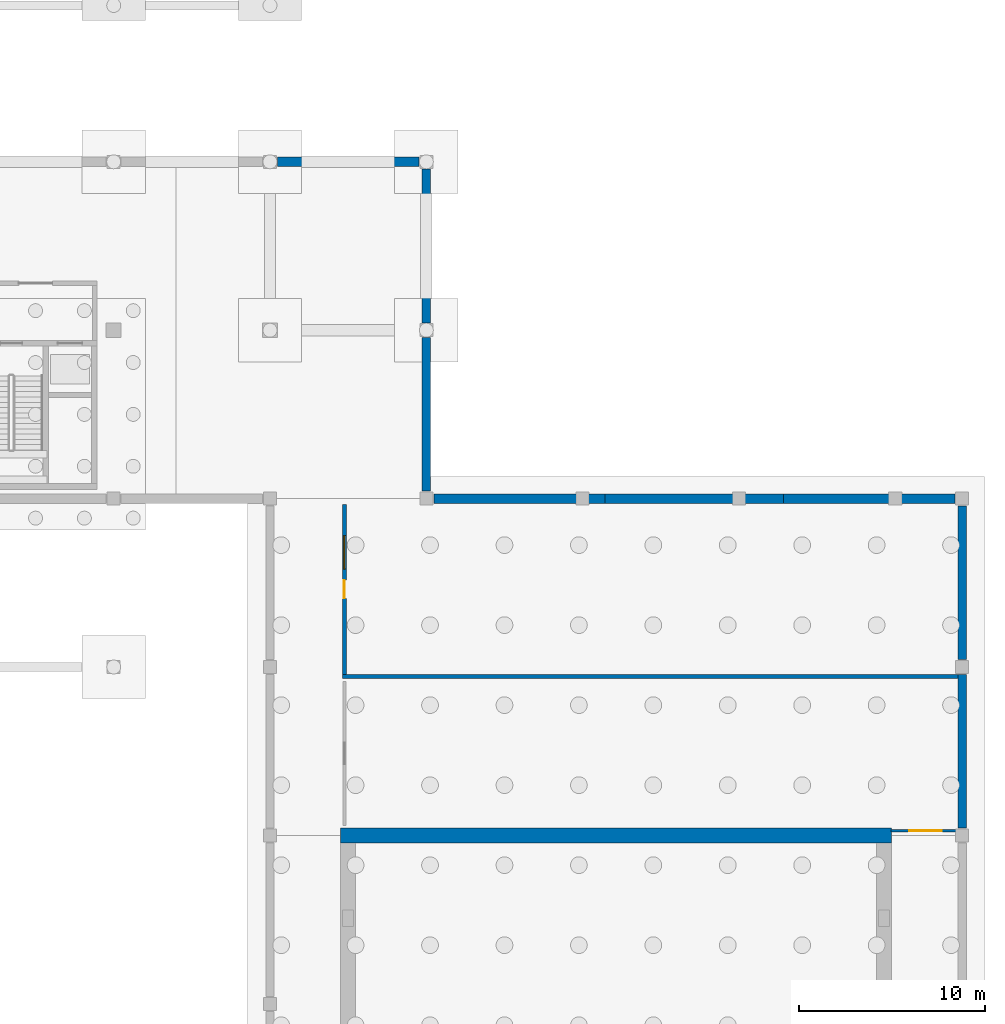
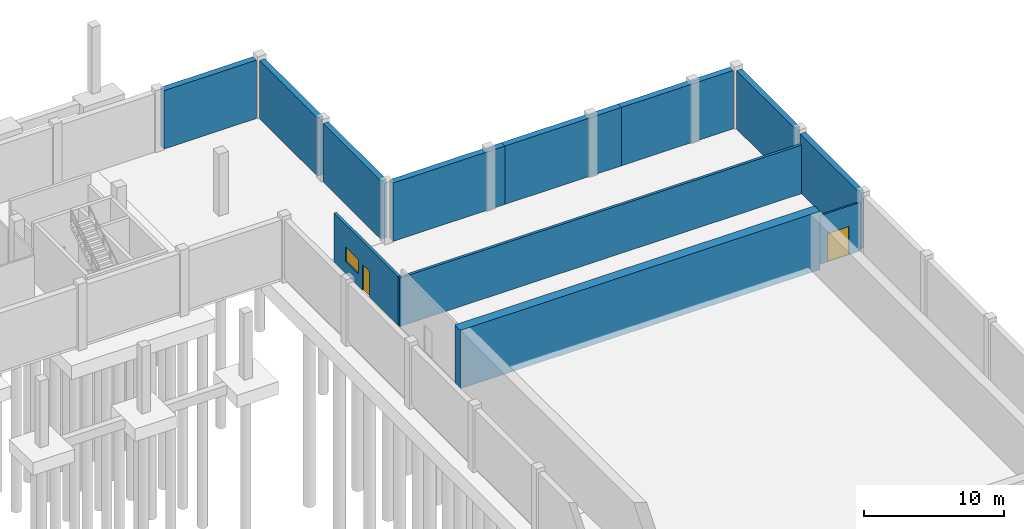
# One storey, part 12 of 18: 12 walls, 2 doors, 1 window, 3 openings.
"""IFC4 building model written with IfcOpenShell, lengths in metres."""

from ifc_helpers import new_model, si_unit, direction, frame, frame_2d, origin, place, context, subcontext, project, spatial, rectangle, extrude, material, layer, layer_set, type_object, element, fill, save


model = new_model("IFC4")

# Units and contexts
model_context = context("Model", 3, precision=1e-05, world=origin(), true_north=direction((0.0, 1.0)))
body_context = subcontext(model_context, "Body", "Model", "MODEL_VIEW")
ifc_project = project(units=[si_unit("LENGTHUNIT", "METRE"), si_unit("AREAUNIT", "SQUARE_METRE"), si_unit("VOLUMEUNIT", "CUBIC_METRE"), si_unit("PLANEANGLEUNIT", "RADIAN"), si_unit("MASSUNIT", "GRAM", prefix="KILO")], contexts=[model_context])

# Site, building, storey
site_placement = place(None, origin())
site = spatial("IfcSite", under=ifc_project, at=site_placement, CompositionType="ELEMENT")
building_placement = place(site_placement, origin())
building = spatial("IfcBuilding", under=site, at=building_placement, Name="Khurvash Pelagic Aquarium", CompositionType="ELEMENT")
storey_placement = place(building_placement, frame((0.0, 0.0, -5.39990234375)))
storey = spatial("IfcBuildingStorey", under=building, at=storey_placement, Name="B1", CompositionType="ELEMENT", Elevation=-5.39990234375)

# Wall, opening, door
ifc_material_1 = material(Name="Moisture-resistant gypsum and steel stud", Category="steel")
ifc_layer_1 = layer(ifc_material_1, 0.139892578125)
ifc_layer_set_1 = layer_set([ifc_layer_1], Name="Moisture-resistant gypsum and steel stud")
wall_type_1 = type_object("IfcWallType", Name="PW-140", PredefinedType="PARTITIONING", material=ifc_layer_set_1)
wall_1_placement = place(storey_placement, frame((159.3798828125, 66.199951171875, 0.0), z_axis=(0.0, 0.0, 1.0), x_axis=(1.0, 0.0, 0.0)))
wall_1 = element("IfcWall", 1, at=wall_1_placement, inside=storey, type_object=wall_type_1, Name="B1 Protein Fractionator Gallery Partition Wall PW-140", PredefinedType="PARTITIONING", context=body_context, shape_type="SweptSolid", body=[
    extrude(rectangle(XDim=3.690185546875, YDim=0.139892578125, at=frame_2d((1.84521484375, 0.0))), origin(), (0.0, 0.0, 1.0), 4.22998046875),
])
opening_1_placement = place(wall_1_placement, frame((0.965087890625, 0.0, 0.0)))
opening_1 = element("IfcOpeningElement", 2, at=opening_1_placement, cuts=wall_1, Name="Opening ID-24", PredefinedType="OPENING", context=body_context, shape_type="SweptSolid", body=[
    extrude(rectangle(XDim=1.760009765625, YDim=2.449951171875, at=frame_2d((0.8798828125, 1.22509765625))), frame((0.0, 0.080078125, 0.0), z_axis=(0.0, -1.0, 0.0), x_axis=(1.0, 0.0, 0.0)), (0.0, 0.0, 1.0), 0.159912109375),
])
ifc_material_2 = material(Name="Ocean overlook double door", Category="wood")
door_type_1 = type_object("IfcDoorType", Name="ID-24", OperationType="DOUBLE_DOOR_SINGLE_SWING", PredefinedType="DOOR", material=ifc_material_2)
door_1_placement = place(opening_1_placement, frame((1.760009765625, 0.0, 0.0), z_axis=(0.0, 0.0, 1.0), x_axis=(-1.0, 0.0, 0.0)))
door_1 = element("IfcDoor", 3, at=door_1_placement, inside=storey, type_object=door_type_1, Name="DR-0025", OperationType="DOUBLE_DOOR_SINGLE_SWING", OverallHeight=2.449951171875, OverallWidth=1.760009765625, PredefinedType="DOOR", context=body_context, shape_type="SweptSolid", body=[
    extrude(rectangle(XDim=1.760009765625, YDim=2.449951171875, at=frame_2d((0.8798828125, 1.22509765625))), frame((0.0, 0.02490234375, 0.0), z_axis=(0.0, -1.0, 0.0), x_axis=(1.0, 0.0, 0.0)), (0.0, 0.0, 1.0), 0.050048828125),
])
fill(opening_1, door_1)

# Wall, openings, door, window
ifc_material_3 = material(Name="AAC blockwork", Category="masonry")
ifc_layer_2 = layer(ifc_material_3, 0.215087890625)
ifc_layer_set_2 = layer_set([ifc_layer_2], Name="AAC blockwork")
wall_type_2 = type_object("IfcWallType", Name="PW-215", PredefinedType="PARTITIONING", material=ifc_layer_set_2)
wall_2_placement = place(storey_placement, frame((130.0, 74.60791015625, 0.0), z_axis=(0.0, 0.0, 1.0), x_axis=(0.0, 1.0, 0.0)))
wall_2 = element("IfcWall", 4, at=wall_2_placement, inside=storey, type_object=wall_type_2, Name="B1 Primary Ocean LSS Sand Filter Hall Partition Wall PW-215", PredefinedType="PARTITIONING", context=body_context, shape_type="SweptSolid", body=[
    extrude(rectangle(XDim=9.134033203125, YDim=0.215087890625, at=frame_2d((4.56689453125, 0.0))), origin(), (0.0, 0.0, 1.0), 4.22998046875),
])
opening_2_placement = place(wall_2_placement, frame((4.076904296875, 0.0, 0.0)))
opening_2 = element("IfcOpeningElement", 5, at=opening_2_placement, cuts=wall_2, Name="Opening ID-39", PredefinedType="OPENING", context=body_context, shape_type="SweptSolid", body=[
    extrude(rectangle(XDim=0.97998046875, YDim=2.219970703125, at=frame_2d((0.489990234375, 1.10986328125))), frame((0.0, 0.11767578125, 0.0), z_axis=(0.0, -1.0, 0.0), x_axis=(1.0, 0.0, 0.0)), (0.0, 0.0, 1.0), 0.235107421875),
])
opening_3_placement = place(wall_2_placement, frame((5.656982421875, 0.0, 1.0498046875)))
opening_3 = element("IfcOpeningElement", 6, at=opening_3_placement, cuts=wall_2, Name="Opening IW-02", PredefinedType="OPENING", context=body_context, shape_type="SweptSolid", body=[
    extrude(rectangle(XDim=1.800048828125, YDim=1.25, at=frame_2d((0.89990234375, 0.625))), frame((0.0, 0.11767578125, 0.0), z_axis=(0.0, -1.0, 0.0), x_axis=(1.0, 0.0, 0.0)), (0.0, 0.0, 1.0), 0.235107421875),
])
ifc_material_4 = material(Name="Acoustic staff locker door", Category="wood")
door_type_2 = type_object("IfcDoorType", Name="ID-39", OperationType="NOTDEFINED", PredefinedType="DOOR", material=ifc_material_4)
door_2_placement = place(opening_2_placement, frame((0.97998046875, 0.0, 0.0), z_axis=(0.0, 0.0, 1.0), x_axis=(-1.0, 0.0, 0.0)))
door_2 = element("IfcDoor", 7, at=door_2_placement, inside=storey, type_object=door_type_2, Name="DR-0023", OperationType="SINGLE_SWING_RIGHT", OverallHeight=2.219970703125, OverallWidth=0.97998046875, PredefinedType="DOOR", context=body_context, shape_type="SweptSolid", body=[
    extrude(rectangle(XDim=0.97998046875, YDim=2.219970703125, at=frame_2d((0.489990234375, 1.10986328125))), frame((0.0, 0.02490234375, 0.0), z_axis=(0.0, -1.0, 0.0), x_axis=(1.0, 0.0, 0.0)), (0.0, 0.0, 1.0), 0.050048828125),
])
fill(opening_2, door_2)
ifc_material_5 = material(Name="Acoustic laminated interior observation glazing", Category="glass")
window_type = type_object("IfcWindowType", Name="IW-02", PartitioningType="SINGLE_PANEL", PredefinedType="WINDOW", material=ifc_material_5)
window_placement = place(opening_3_placement, origin())
window = element("IfcWindow", 8, at=window_placement, inside=storey, type_object=window_type, Name="B1 Primary Ocean LSS Sand Filter Hall Observation Window IW-02", OverallHeight=1.25, OverallWidth=1.800048828125, PartitioningType="SINGLE_PANEL", PredefinedType="WINDOW", context=body_context, shape_type="SweptSolid", body=[
    extrude(rectangle(XDim=1.800048828125, YDim=1.25, at=frame_2d((0.89990234375, 0.625))), frame((0.0, 0.030029296875, 0.0), z_axis=(0.0, -1.0, 0.0), x_axis=(1.0, 0.0, 0.0)), (0.0, 0.0, 1.0), 0.06005859375),
])
fill(opening_3, window)

# Walls
wall_3_placement = place(storey_placement, frame((129.89306640625, 74.5, 0.0), z_axis=(0.0, 0.0, 1.0), x_axis=(1.0, 0.0, 0.0)))
element("IfcWall", 9, at=wall_3_placement, inside=storey, type_object=wall_type_2, Name="B1 Primary Ocean LSS Sand Filter Hall Partition Wall PW-215", PredefinedType="PARTITIONING", context=body_context, shape_type="SweptSolid", body=[
    extrude(rectangle(XDim=33.2138671875, YDim=0.215087890625, at=frame_2d((16.60693359375, 0.0))), origin(), (0.0, 0.0, 1.0), 4.22998046875),
])
ifc_material_6 = material(Name="Concrete C40/50", Category="concrete")
ifc_layer_3 = layer(ifc_material_6, 0.449951171875)
ifc_layer_set_3 = layer_set([ifc_layer_3], Name="Concrete C40/50")
wall_type_3 = type_object("IfcWallType", Name="RW-450", PredefinedType="USERDEFINED", material=ifc_layer_set_3)
for number, where, z_axis, x_axis, name in (
    (10, (134.39990234375, 101.75, 0.0), (0.0, 0.0, 1.0), (0.0, -1.0, 0.0), "B1 Perimeter Waterproofed Retaining Wall RW-450"),
    (11, (134.39990234375, 92.699951171875, 0.0), (0.0, 0.0, 1.0), (0.0, -1.0, 0.0), "B1 Perimeter Waterproofed Retaining Wall RW-450"),
    (12, (163.199951171875, 83.64990234375, 0.0), (0.0, 0.0, 1.0), (0.0, -1.0, 0.0), "B1 Perimeter Waterproofed Retaining Wall RW-450"),
    (13, (163.199951171875, 74.60009765625, 0.0), (0.0, 0.0, 1.0), (0.0, -1.0, 0.0), "B1 Perimeter Waterproofed Retaining Wall RW-450"),
):
    element("IfcWall", number, at=place(storey_placement, frame(where, z_axis=z_axis, x_axis=x_axis)), inside=storey, type_object=wall_type_3, Name=name, ObjectType="RETAINING WALL", PredefinedType="USERDEFINED", context=body_context, shape_type="SweptSolid", body=[
        extrude(rectangle(XDim=8.25, YDim=0.449951171875, at=frame_2d((4.125, 0.0))), origin(), (0.0, 0.0, 1.0), 5.079833984375),
    ])
ifc_material_7 = material(Name="Water-retaining concrete C40/50", Category="concrete")
ifc_layer_4 = layer(ifc_material_7, 0.5)
ifc_layer_set_4 = layer_set([ifc_layer_4], Name="Water-retaining concrete C40/50")
wall_type_4 = type_object("IfcWallType", Name="RW-500", PredefinedType="USERDEFINED", material=ifc_layer_set_4)
wall_4_placement = place(storey_placement, frame((126.39990234375, 102.14990234375, 0.0), z_axis=(0.0, 0.0, 1.0), x_axis=(1.0, 0.0, 0.0)))
element("IfcWall", 14, at=wall_4_placement, inside=storey, type_object=wall_type_4, Name="B1 Perimeter Waterproofed Retaining Wall RW-500", ObjectType="RETAINING WALL", PredefinedType="USERDEFINED", context=body_context, shape_type="SweptSolid", body=[
    extrude(rectangle(XDim=7.60009765625, YDim=0.5, at=frame_2d((3.800048828125, 0.0))), origin(), (0.0, 0.0, 1.0), 5.079833984375),
])
wall_5_placement = place(storey_placement, frame((134.800048828125, 84.050048828125, 0.0), z_axis=(0.0, 0.0, 1.0), x_axis=(1.0, 0.0, 0.0)))
element("IfcWall", 15, at=wall_5_placement, inside=storey, type_object=wall_type_4, Name="B1 Perimeter Waterproofed Retaining Wall RW-500", ObjectType="RETAINING WALL", PredefinedType="USERDEFINED", context=body_context, shape_type="SweptSolid", body=[
    extrude(rectangle(XDim=9.199951171875, YDim=0.5, at=frame_2d((4.60009765625, 0.0))), origin(), (0.0, 0.0, 1.0), 5.079833984375),
])
wall_6_placement = place(storey_placement, frame((144.0, 84.050048828125, 0.0), z_axis=(0.0, 0.0, 1.0), x_axis=(1.0, 0.0, 0.0)))
element("IfcWall", 16, at=wall_6_placement, inside=storey, type_object=wall_type_4, Name="B1 Perimeter Waterproofed Retaining Wall RW-500", ObjectType="RETAINING WALL", PredefinedType="USERDEFINED", context=body_context, shape_type="SweptSolid", body=[
    extrude(rectangle(XDim=9.60009765625, YDim=0.5, at=frame_2d((4.800048828125, 0.0))), origin(), (0.0, 0.0, 1.0), 5.079833984375),
])
wall_7_placement = place(storey_placement, frame((153.60009765625, 84.050048828125, 0.0), z_axis=(0.0, 0.0, 1.0), x_axis=(1.0, 0.0, 0.0)))
element("IfcWall", 17, at=wall_7_placement, inside=storey, type_object=wall_type_4, Name="B1 Perimeter Waterproofed Retaining Wall RW-500", ObjectType="RETAINING WALL", PredefinedType="USERDEFINED", context=body_context, shape_type="SweptSolid", body=[
    extrude(rectangle(XDim=9.199951171875, YDim=0.5, at=frame_2d((4.60009765625, 0.0))), origin(), (0.0, 0.0, 1.0), 5.079833984375),
])
ifc_layer_5 = layer(ifc_material_7, 0.800048828125)
ifc_layer_set_5 = layer_set([ifc_layer_5], Name="Water-retaining concrete C40/50")
wall_type_5 = type_object("IfcWallType", Name="TW-800", PredefinedType="SOLIDWALL", material=ifc_layer_set_5)
wall_8_placement = place(storey_placement, frame((129.800048828125, 65.949951171875, 0.0), z_axis=(0.0, 0.0, 1.0), x_axis=(1.0, 0.0, 0.0)))
element("IfcWall", 18, at=wall_8_placement, inside=storey, type_object=wall_type_5, Name="B1 Ocean Tank North Containment Wall TW-800", PredefinedType="SOLIDWALL", context=body_context, shape_type="SweptSolid", body=[
    extrude(rectangle(XDim=29.599853515625, YDim=0.800048828125, at=frame_2d((14.7998046875, 0.0))), origin(), (0.0, 0.0, 1.0), 5.079833984375),
])

save(model, "model.ifc")
